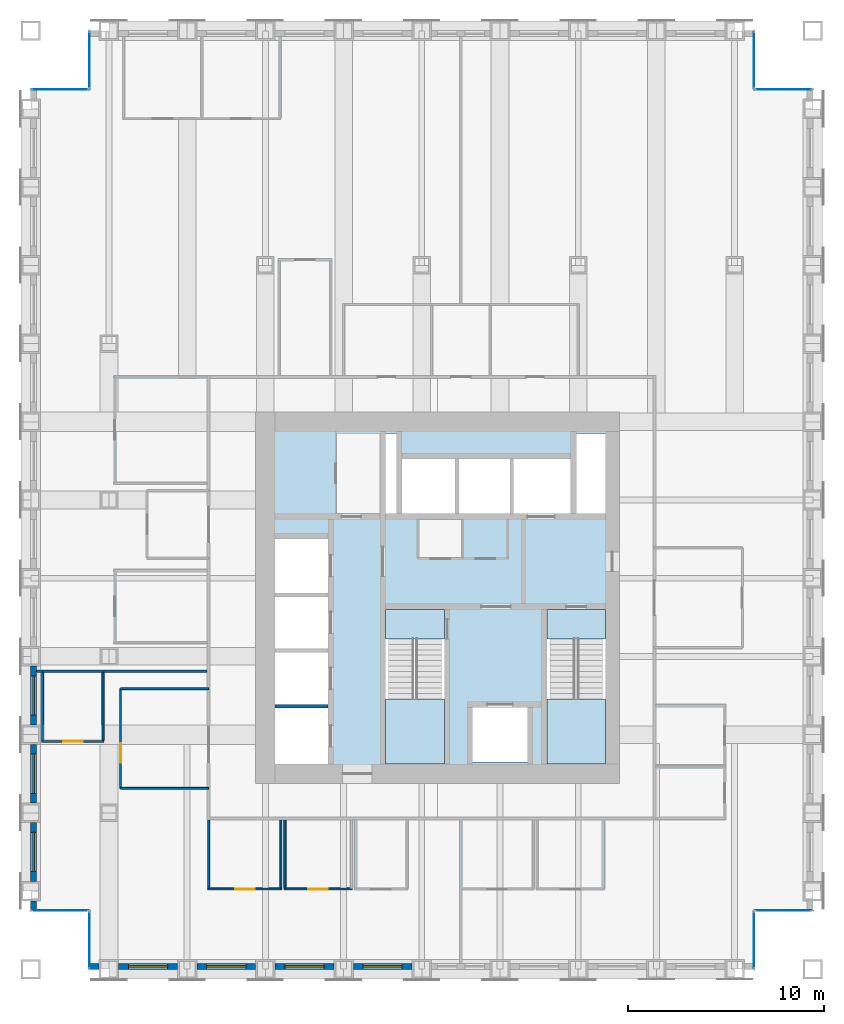
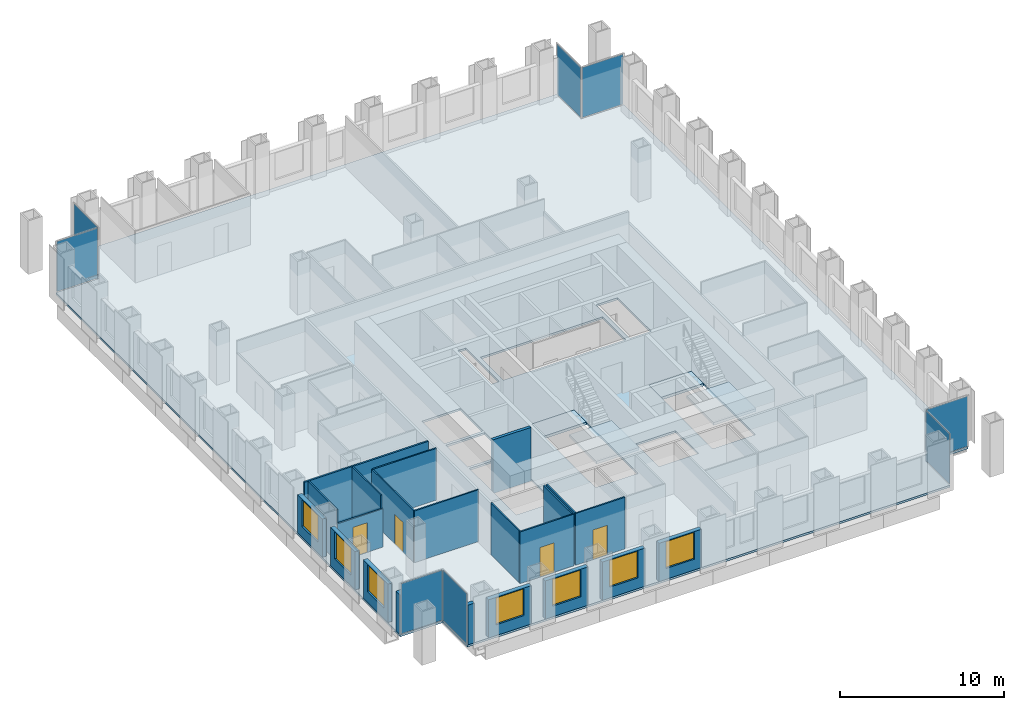
# One storey, part 8 of 14: 22 walls, 8 plates, 7 windows, 5 slabs, 4 doors, 11 openings, 10 elements without a shape of their own.
"""IFC4 building model written with IfcOpenShell, lengths in metres."""

from ifc_helpers import new_model, si_unit, direction, frame, frame_2d, origin, origin_2d, place, context, subcontext, project, spatial, polyline, rectangle, outline, extrude, material, layer, layer_set, type_object, element, fill, aggregate, save


model = new_model("IFC4")

# Units and contexts
model_context = context("Model", 3, precision=1e-05, world=origin(), true_north=direction((0.0, 1.0)))
body_context = subcontext(model_context, "Body", "Model", "MODEL_VIEW")
ifc_project = project(units=[si_unit("LENGTHUNIT", "METRE"), si_unit("AREAUNIT", "SQUARE_METRE"), si_unit("VOLUMEUNIT", "CUBIC_METRE"), si_unit("PLANEANGLEUNIT", "RADIAN"), si_unit("MASSUNIT", "GRAM", prefix="KILO")], contexts=[model_context])

# Site, building, storey
site_placement = place(None, origin())
site = spatial("IfcSite", under=ifc_project, at=site_placement, CompositionType="ELEMENT")
building_placement = place(site_placement, origin())
building = spatial("IfcBuilding", under=site, at=building_placement, Name="Rimbunsela Tower", CompositionType="ELEMENT")
storey_placement = place(building_placement, frame((0.0, 0.0, 183.800048828125)))
storey = spatial("IfcBuildingStorey", under=building, at=storey_placement, Name="L44", CompositionType="ELEMENT", Elevation=183.800048828125)

# Slab
ifc_material_1 = material(Name="Concrete fc' 35 MPa", Category="concrete")
ifc_layer_1 = layer(ifc_material_1, 0.14990234375)
ifc_layer_set_1 = layer_set([ifc_layer_1], Name="Floor slab 150")
slab_type_1 = type_object("IfcSlabType", Name="Floor slab 150", PredefinedType="FLOOR", material=ifc_layer_set_1)
slab_1_placement = place(storey_placement, frame((0.0, 0.0, -0.150146484375)))
element("IfcSlab", 1, at=slab_1_placement, inside=storey, type_object=slab_type_1, Name="Floor slab L44", PredefinedType="FLOOR", context=body_context, shape_type="SweptSolid", body=[
    extrude(outline(polyline([(9.0, 8.0), (43.0, 8.0), (43.0, 11.0), (46.0, 11.0), (46.0, 53.0), (43.0, 53.0), (43.0, 56.0), (9.0, 56.0), (9.0, 53.0), (6.0, 53.0), (6.0, 11.0), (9.0, 11.0), (9.0, 8.0)]), holes=[polyline([(21.199951171875, 21.35009765625), (18.5, 21.35009765625), (18.5, 18.5), (21.199951171875, 18.5), (21.199951171875, 21.35009765625)]), polyline([(21.199951171875, 21.550048828125), (21.199951171875, 24.199951171875), (18.5, 24.199951171875), (18.5, 21.550048828125), (21.199951171875, 21.550048828125)]), polyline([(21.199951171875, 27.050048828125), (18.5, 27.050048828125), (18.5, 24.39990234375), (21.199951171875, 24.39990234375), (21.199951171875, 27.050048828125)]), polyline([(21.199951171875, 27.25), (21.199951171875, 30.0), (18.5, 30.0), (18.5, 27.25), (21.199951171875, 27.25)]), polyline([(27.14990234375, 18.60009765625), (27.14990234375, 26.39990234375), (24.14990234375, 26.39990234375), (24.14990234375, 18.60009765625), (27.14990234375, 18.60009765625)]), polyline([(24.699951171875, 31.300048828125), (24.699951171875, 35.39990234375), (24.14990234375, 35.39990234375), (24.14990234375, 31.300048828125), (24.699951171875, 31.300048828125)]), polyline([(25.0, 34.10009765625), (25.0, 31.300048828125), (33.60009765625, 31.300048828125), (33.60009765625, 34.10009765625), (25.0, 34.10009765625)]), polyline([(31.39990234375, 21.39990234375), (28.60009765625, 21.39990234375), (28.60009765625, 18.60009765625), (31.39990234375, 18.60009765625), (31.39990234375, 21.39990234375)]), polyline([(35.39990234375, 18.60009765625), (35.39990234375, 26.39990234375), (32.39990234375, 26.39990234375), (32.39990234375, 18.60009765625), (35.39990234375, 18.60009765625)]), polyline([(35.39990234375, 31.300048828125), (35.39990234375, 35.39990234375), (33.89990234375, 35.39990234375), (33.89990234375, 31.300048828125), (35.39990234375, 31.300048828125)])]), origin(), (0.0, 0.0, 1.0), 0.150146484375),
])

# Curtain wall, plate
ifc_material_2 = material(Name="Aluminium curtain wall", Category="aluminium")
curtain_wall_type = type_object("IfcCurtainWallType", Name="Corner glazing", PredefinedType="USERDEFINED", material=ifc_material_2)
curtain_wall_1_placement = place(storey_placement, origin())
curtain_wall_1 = element("IfcCurtainWall", 2, at=curtain_wall_1_placement, inside=storey, type_object=curtain_wall_type, Name="Corner glazing L44", ObjectType="CORNER GLAZING", PredefinedType="USERDEFINED")
ifc_material_3 = material(Name="Clear double glazing", Category="glass")
ifc_layer_2 = layer(ifc_material_3, 0.028076171875)
ifc_layer_set_2 = layer_set([ifc_layer_2], Name="Glazed panel clear")
plate_type = type_object("IfcPlateType", Name="Glazed panel clear", PredefinedType="CURTAIN_PANEL", material=ifc_layer_set_2)
plate_1_placement = place(storey_placement, frame((43.0, 9.5, 0.06005859375), z_axis=(0.0, 0.0, 1.0), x_axis=(0.0, 1.0, 0.0)))
plate_1 = element("IfcPlate", 3, at=plate_1_placement, type_object=plate_type, Name="CW5 panel 1.1", PredefinedType="CURTAIN_PANEL", context=body_context, shape_type="SweptSolid", body=[
    extrude(rectangle(XDim=2.8798828125, YDim=0.028076171875, at=origin_2d()), origin(), (0.0, 0.0, 1.0), 3.72998046875),
])
aggregate(curtain_wall_1, [plate_1])

curtain_wall_2_placement = place(storey_placement, origin())
curtain_wall_2 = element("IfcCurtainWall", 4, at=curtain_wall_2_placement, inside=storey, type_object=curtain_wall_type, Name="Corner glazing L44", ObjectType="CORNER GLAZING", PredefinedType="USERDEFINED")
plate_2_placement = place(storey_placement, frame((44.5, 11.0, 0.06005859375), z_axis=(0.0, 0.0, 1.0), x_axis=(1.0, 0.0, 0.0)))
plate_2 = element("IfcPlate", 5, at=plate_2_placement, type_object=plate_type, Name="CW5 panel 1.1", PredefinedType="CURTAIN_PANEL", context=body_context, shape_type="SweptSolid", body=[
    extrude(rectangle(XDim=2.8798828125, YDim=0.028076171875, at=origin_2d()), origin(), (0.0, 0.0, 1.0), 3.72998046875),
])
aggregate(curtain_wall_2, [plate_2])

curtain_wall_3_placement = place(storey_placement, origin())
curtain_wall_3 = element("IfcCurtainWall", 6, at=curtain_wall_3_placement, inside=storey, type_object=curtain_wall_type, Name="Corner glazing L44", ObjectType="CORNER GLAZING", PredefinedType="USERDEFINED")
plate_3_placement = place(storey_placement, frame((44.5, 53.0, 0.06005859375), z_axis=(0.0, 0.0, 1.0), x_axis=(-1.0, 0.0, 0.0)))
plate_3 = element("IfcPlate", 7, at=plate_3_placement, type_object=plate_type, Name="CW5 panel 1.1", PredefinedType="CURTAIN_PANEL", context=body_context, shape_type="SweptSolid", body=[
    extrude(rectangle(XDim=2.8798828125, YDim=0.028076171875, at=origin_2d()), origin(), (0.0, 0.0, 1.0), 3.72998046875),
])
aggregate(curtain_wall_3, [plate_3])

curtain_wall_4_placement = place(storey_placement, origin())
curtain_wall_4 = element("IfcCurtainWall", 8, at=curtain_wall_4_placement, inside=storey, type_object=curtain_wall_type, Name="Corner glazing L44", ObjectType="CORNER GLAZING", PredefinedType="USERDEFINED")
plate_4_placement = place(storey_placement, frame((43.0, 54.5, 0.06005859375), z_axis=(0.0, 0.0, 1.0), x_axis=(0.0, 1.0, 0.0)))
plate_4 = element("IfcPlate", 9, at=plate_4_placement, type_object=plate_type, Name="CW5 panel 1.1", PredefinedType="CURTAIN_PANEL", context=body_context, shape_type="SweptSolid", body=[
    extrude(rectangle(XDim=2.8798828125, YDim=0.028076171875, at=origin_2d()), origin(), (0.0, 0.0, 1.0), 3.72998046875),
])
aggregate(curtain_wall_4, [plate_4])

curtain_wall_5_placement = place(storey_placement, origin())
curtain_wall_5 = element("IfcCurtainWall", 10, at=curtain_wall_5_placement, inside=storey, type_object=curtain_wall_type, Name="Corner glazing L44", ObjectType="CORNER GLAZING", PredefinedType="USERDEFINED")
plate_5_placement = place(storey_placement, frame((9.0, 54.5, 0.06005859375), z_axis=(0.0, 0.0, 1.0), x_axis=(0.0, -1.0, 0.0)))
plate_5 = element("IfcPlate", 11, at=plate_5_placement, type_object=plate_type, Name="CW5 panel 1.1", PredefinedType="CURTAIN_PANEL", context=body_context, shape_type="SweptSolid", body=[
    extrude(rectangle(XDim=2.8798828125, YDim=0.028076171875, at=origin_2d()), origin(), (0.0, 0.0, 1.0), 3.72998046875),
])
aggregate(curtain_wall_5, [plate_5])

curtain_wall_6_placement = place(storey_placement, origin())
curtain_wall_6 = element("IfcCurtainWall", 12, at=curtain_wall_6_placement, inside=storey, type_object=curtain_wall_type, Name="Corner glazing L44", ObjectType="CORNER GLAZING", PredefinedType="USERDEFINED")
plate_6_placement = place(storey_placement, frame((7.5, 53.0, 0.06005859375), z_axis=(0.0, 0.0, 1.0), x_axis=(-1.0, 0.0, 0.0)))
plate_6 = element("IfcPlate", 13, at=plate_6_placement, type_object=plate_type, Name="CW5 panel 1.1", PredefinedType="CURTAIN_PANEL", context=body_context, shape_type="SweptSolid", body=[
    extrude(rectangle(XDim=2.8798828125, YDim=0.028076171875, at=origin_2d()), origin(), (0.0, 0.0, 1.0), 3.72998046875),
])
aggregate(curtain_wall_6, [plate_6])

curtain_wall_7_placement = place(storey_placement, origin())
curtain_wall_7 = element("IfcCurtainWall", 14, at=curtain_wall_7_placement, inside=storey, type_object=curtain_wall_type, Name="Corner glazing L44", ObjectType="CORNER GLAZING", PredefinedType="USERDEFINED")
plate_7_placement = place(storey_placement, frame((7.5, 11.0, 0.06005859375), z_axis=(0.0, 0.0, 1.0), x_axis=(1.0, 0.0, 0.0)))
plate_7 = element("IfcPlate", 15, at=plate_7_placement, type_object=plate_type, Name="CW5 panel 1.1", PredefinedType="CURTAIN_PANEL", context=body_context, shape_type="SweptSolid", body=[
    extrude(rectangle(XDim=2.8798828125, YDim=0.028076171875, at=origin_2d()), origin(), (0.0, 0.0, 1.0), 3.72998046875),
])
aggregate(curtain_wall_7, [plate_7])

curtain_wall_8_placement = place(storey_placement, origin())
curtain_wall_8 = element("IfcCurtainWall", 16, at=curtain_wall_8_placement, inside=storey, type_object=curtain_wall_type, Name="Corner glazing L44", ObjectType="CORNER GLAZING", PredefinedType="USERDEFINED")
plate_8_placement = place(storey_placement, frame((9.0, 9.5, 0.06005859375), z_axis=(0.0, 0.0, 1.0), x_axis=(0.0, -1.0, 0.0)))
plate_8 = element("IfcPlate", 17, at=plate_8_placement, type_object=plate_type, Name="CW5 panel 1.1", PredefinedType="CURTAIN_PANEL", context=body_context, shape_type="SweptSolid", body=[
    extrude(rectangle(XDim=2.8798828125, YDim=0.028076171875, at=origin_2d()), origin(), (0.0, 0.0, 1.0), 3.72998046875),
])
aggregate(curtain_wall_8, [plate_8])

# Stair, slabs
ifc_material_4 = material(Name="Concrete fc' 35 MPa", Category="concrete")
stair_type = type_object("IfcStairType", Name="Exit stair 24 risers", PredefinedType="HALF_TURN_STAIR", material=ifc_material_4)
stair_1_placement = place(storey_placement, origin())
stair_1 = element("IfcStair", 18, at=stair_1_placement, inside=storey, type_object=stair_type, Name="Exit stair A L44", PredefinedType="HALF_TURN_STAIR")
ifc_material_5 = material(Name="Concrete fc' 35 MPa", Category="concrete")
ifc_layer_3 = layer(ifc_material_5, 0.199951171875)
ifc_layer_set_3 = layer_set([ifc_layer_3], Name="Stair landing 200")
slab_type_2 = type_object("IfcSlabType", Name="Stair landing 200", PredefinedType="LANDING", material=ifc_layer_set_3)
slab_2_placement = place(storey_placement, frame((0.0, 0.0, -0.199951171875)))
slab_2 = element("IfcSlab", 19, at=slab_2_placement, type_object=slab_type_2, Name="ST-A landing 1", PredefinedType="LANDING", context=body_context, shape_type="SweptSolid", body=[
    extrude(outline(polyline([(24.14990234375, 24.89990234375), (27.14990234375, 24.89990234375), (27.14990234375, 26.39990234375), (24.14990234375, 26.39990234375), (24.14990234375, 24.89990234375)])), origin(), (0.0, 0.0, 1.0), 0.199951171875),
])
slab_3_placement = place(storey_placement, frame((0.0, 0.0, 1.800048828125)))
slab_3 = element("IfcSlab", 20, at=slab_3_placement, type_object=slab_type_2, Name="ST-A landing 2", PredefinedType="LANDING", context=body_context, shape_type="SweptSolid", body=[
    extrude(outline(polyline([(24.14990234375, 18.5), (27.14990234375, 18.5), (27.14990234375, 21.820068359375), (24.14990234375, 21.820068359375), (24.14990234375, 18.5)])), origin(), (0.0, 0.0, 1.0), 0.199951171875),
])
aggregate(stair_1, [slab_2, slab_3])

stair_2_placement = place(storey_placement, origin())
stair_2 = element("IfcStair", 21, at=stair_2_placement, inside=storey, type_object=stair_type, Name="Exit stair B L44", PredefinedType="HALF_TURN_STAIR")
slab_4_placement = place(storey_placement, frame((0.0, 0.0, -0.199951171875)))
slab_4 = element("IfcSlab", 22, at=slab_4_placement, type_object=slab_type_2, Name="ST-B landing 1", PredefinedType="LANDING", context=body_context, shape_type="SweptSolid", body=[
    extrude(outline(polyline([(32.39990234375, 24.89990234375), (35.39990234375, 24.89990234375), (35.39990234375, 26.39990234375), (32.39990234375, 26.39990234375), (32.39990234375, 24.89990234375)])), origin(), (0.0, 0.0, 1.0), 0.199951171875),
])
slab_5_placement = place(storey_placement, frame((0.0, 0.0, 1.800048828125)))
slab_5 = element("IfcSlab", 23, at=slab_5_placement, type_object=slab_type_2, Name="ST-B landing 2", PredefinedType="LANDING", context=body_context, shape_type="SweptSolid", body=[
    extrude(outline(polyline([(32.39990234375, 18.5), (35.39990234375, 18.5), (35.39990234375, 21.820068359375), (32.39990234375, 21.820068359375), (32.39990234375, 18.5)])), origin(), (0.0, 0.0, 1.0), 0.199951171875),
])
aggregate(stair_2, [slab_4, slab_5])

# Wall
ifc_material_6 = material(Name="Concrete blockwork", Category="masonry")
ifc_layer_4 = layer(ifc_material_6, 0.199951171875)
ifc_layer_set_4 = layer_set([ifc_layer_4], Name="Lift shaft wall 200")
wall_type_1 = type_object("IfcWallType", Name="Lift shaft wall 200", PredefinedType="SOLIDWALL", material=ifc_layer_set_4)
wall_1_placement = place(storey_placement, frame((18.5, 21.449951171875, -0.150146484375), z_axis=(0.0, 0.0, 1.0), x_axis=(1.0, 0.0, 0.0)))
element("IfcWall", 24, at=wall_1_placement, inside=storey, type_object=wall_type_1, Name="Lift shaft separation", PredefinedType="SOLIDWALL", context=body_context, shape_type="SweptSolid", body=[
    extrude(rectangle(XDim=2.699951171875, YDim=0.199951171875, at=frame_2d((1.35009765625, 0.0))), origin(), (0.0, 0.0, 1.0), 4.0),
])

# Wall, opening, door
ifc_material_7 = material(Name="Gypsum board on steel studs", Category="steel")
ifc_layer_5 = layer(ifc_material_7, 0.10009765625)
ifc_layer_set_5 = layer_set([ifc_layer_5], Name="Office partition 100")
wall_type_2 = type_object("IfcWallType", Name="Office partition 100", PredefinedType="PARTITIONING", material=ifc_layer_set_5)
wall_2_placement = place(storey_placement, frame((15.050048828125, 12.10009765625, 0.0), z_axis=(0.0, 0.0, 1.0), x_axis=(1.0, 0.0, 0.0)))
wall_2 = element("IfcWall", 25, at=wall_2_placement, inside=storey, type_object=wall_type_2, Name="Office partition", PredefinedType="PARTITIONING", context=body_context, shape_type="SweptSolid", body=[
    extrude(rectangle(XDim=3.800048828125, YDim=0.10009765625, at=frame_2d((1.89990234375, 0.0))), origin(), (0.0, 0.0, 1.0), 3.849853515625),
])
opening_1_placement = place(wall_2_placement, frame((1.39990234375, 0.0, 0.0)))
opening_1 = element("IfcOpeningElement", 26, at=opening_1_placement, cuts=wall_2, Name="Opening D17", PredefinedType="OPENING", context=body_context, shape_type="SweptSolid", body=[
    extrude(rectangle(XDim=1.0, YDim=2.199951171875, at=frame_2d((0.5, 1.10009765625))), frame((0.0, 0.06005859375, 0.0), z_axis=(0.0, -1.0, 0.0), x_axis=(1.0, 0.0, 0.0)), (0.0, 0.0, 1.0), 0.1201171875),
])
ifc_material_8 = material(Name="Glazed aluminium door", Category="aluminium")
door_type_1 = type_object("IfcDoorType", Name="Meeting room door 1000 glazed", OperationType="SINGLE_SWING_RIGHT", PredefinedType="DOOR", material=ifc_material_8)
door_1_placement = place(opening_1_placement, origin())
door_1 = element("IfcDoor", 27, at=door_1_placement, inside=storey, type_object=door_type_1, Name="Meeting room door", OperationType="SINGLE_SWING_RIGHT", OverallHeight=2.199951171875, OverallWidth=1.0, PredefinedType="DOOR", context=body_context, shape_type="SweptSolid", body=[
    extrude(rectangle(XDim=1.0, YDim=2.199951171875, at=frame_2d((0.5, 1.10009765625))), frame((0.0, 0.02490234375, 0.0), z_axis=(0.0, -1.0, 0.0), x_axis=(1.0, 0.0, 0.0)), (0.0, 0.0, 1.0), 0.050048828125),
])
fill(opening_1, door_1)

wall_3_placement = place(storey_placement, frame((18.949951171875, 12.10009765625, 0.0), z_axis=(0.0, 0.0, 1.0), x_axis=(1.0, 0.0, 0.0)))
wall_3 = element("IfcWall", 28, at=wall_3_placement, inside=storey, type_object=wall_type_2, Name="Office partition", PredefinedType="PARTITIONING", context=body_context, shape_type="SweptSolid", body=[
    extrude(rectangle(XDim=3.5, YDim=0.10009765625, at=frame_2d((1.75, 0.0))), origin(), (0.0, 0.0, 1.0), 3.849853515625),
])
opening_2_placement = place(wall_3_placement, frame((1.25, 0.0, 0.0)))
opening_2 = element("IfcOpeningElement", 29, at=opening_2_placement, cuts=wall_3, Name="Opening D16", PredefinedType="OPENING", context=body_context, shape_type="SweptSolid", body=[
    extrude(rectangle(XDim=1.0, YDim=2.199951171875, at=frame_2d((0.5, 1.10009765625))), frame((0.0, 0.06005859375, 0.0), z_axis=(0.0, -1.0, 0.0), x_axis=(1.0, 0.0, 0.0)), (0.0, 0.0, 1.0), 0.1201171875),
])
ifc_material_9 = material(Name="Timber door", Category="wood")
door_type_2 = type_object("IfcDoorType", Name="Office door 1000", OperationType="SINGLE_SWING_LEFT", PredefinedType="DOOR", material=ifc_material_9)
door_2_placement = place(opening_2_placement, origin())
door_2 = element("IfcDoor", 30, at=door_2_placement, inside=storey, type_object=door_type_2, Name="Office door", OperationType="SINGLE_SWING_LEFT", OverallHeight=2.199951171875, OverallWidth=1.0, PredefinedType="DOOR", context=body_context, shape_type="SweptSolid", body=[
    extrude(rectangle(XDim=1.0, YDim=2.199951171875, at=frame_2d((0.5, 1.10009765625))), frame((0.0, 0.02490234375, 0.0), z_axis=(0.0, -1.0, 0.0), x_axis=(1.0, 0.0, 0.0)), (0.0, 0.0, 1.0), 0.050048828125),
])
fill(opening_2, door_2)

wall_4_placement = place(storey_placement, frame((6.550048828125, 19.64990234375, 0.0), z_axis=(0.0, 0.0, 1.0), x_axis=(1.0, 0.0, 0.0)))
wall_4 = element("IfcWall", 31, at=wall_4_placement, inside=storey, type_object=wall_type_2, Name="Office partition", PredefinedType="PARTITIONING", context=body_context, shape_type="SweptSolid", body=[
    extrude(rectangle(XDim=3.199951171875, YDim=0.10009765625, at=frame_2d((1.60009765625, 0.0))), origin(), (0.0, 0.0, 1.0), 2.849853515625),
])
opening_3_placement = place(wall_4_placement, frame((1.10009765625, 0.0, 0.0)))
opening_3 = element("IfcOpeningElement", 32, at=opening_3_placement, cuts=wall_4, Name="Opening D16", PredefinedType="OPENING", context=body_context, shape_type="SweptSolid", body=[
    extrude(rectangle(XDim=1.0, YDim=2.199951171875, at=frame_2d((0.5, 1.10009765625))), frame((0.0, 0.06005859375, 0.0), z_axis=(0.0, -1.0, 0.0), x_axis=(1.0, 0.0, 0.0)), (0.0, 0.0, 1.0), 0.1201171875),
])
door_3_placement = place(opening_3_placement, origin())
door_3 = element("IfcDoor", 33, at=door_3_placement, inside=storey, type_object=door_type_2, Name="Office door", OperationType="SINGLE_SWING_LEFT", OverallHeight=2.199951171875, OverallWidth=1.0, PredefinedType="DOOR", context=body_context, shape_type="SweptSolid", body=[
    extrude(rectangle(XDim=1.0, YDim=2.199951171875, at=frame_2d((0.5, 1.10009765625))), frame((0.0, 0.02490234375, 0.0), z_axis=(0.0, -1.0, 0.0), x_axis=(1.0, 0.0, 0.0)), (0.0, 0.0, 1.0), 0.050048828125),
])
fill(opening_3, door_3)

# Walls
for number, where, z_axis, x_axis, name in (
    (34, (6.60009765625, 19.699951171875, 0.0), (0.0, 0.0, 1.0), (0.0, 1.0, 0.0), "Office partition"),
    (35, (9.699951171875, 19.699951171875, 0.0), (0.0, 0.0, 1.0), (0.0, 1.0, 0.0), "Office partition"),
):
    element("IfcWall", number, at=place(storey_placement, frame(where, z_axis=z_axis, x_axis=x_axis)), inside=storey, type_object=wall_type_2, Name=name, PredefinedType="PARTITIONING", context=body_context, shape_type="SweptSolid", body=[
        extrude(rectangle(XDim=3.489990234375, YDim=0.10009765625, at=frame_2d((1.7451171875, 0.0))), origin(), (0.0, 0.0, 1.0), 3.849853515625),
    ])
for number, where, z_axis, x_axis, name in (
    (36, (15.10009765625, 12.14990234375, 0.0), (0.0, 0.0, 1.0), (0.0, 1.0, 0.0), "Office partition"),
    (37, (18.800048828125, 12.14990234375, 0.0), (0.0, 0.0, 1.0), (0.0, 1.0, 0.0), "Office partition"),
    (38, (19.0, 12.14990234375, 0.0), (0.0, 0.0, 1.0), (0.0, 1.0, 0.0), "Office partition"),
):
    element("IfcWall", number, at=place(storey_placement, frame(where, z_axis=z_axis, x_axis=x_axis)), inside=storey, type_object=wall_type_2, Name=name, PredefinedType="PARTITIONING", context=body_context, shape_type="SweptSolid", body=[
        extrude(rectangle(XDim=3.47509765625, YDim=0.10009765625, at=frame_2d((1.737548828125, 0.0))), origin(), (0.0, 0.0, 1.0), 3.849853515625),
    ])
wall_5_placement = place(storey_placement, frame((15.10009765625, 22.34912109375, 0.0), z_axis=(0.0, 0.0, 1.0), x_axis=(-1.0, 0.0, 0.0)))
element("IfcWall", 39, at=wall_5_placement, inside=storey, type_object=wall_type_2, Name="Office partition", PredefinedType="PARTITIONING", context=body_context, shape_type="SweptSolid", body=[
    extrude(rectangle(XDim=4.5, YDim=0.10009765625, at=frame_2d((2.25, 0.0))), origin(), (0.0, 0.0, 1.0), 3.849853515625),
])

# Wall, opening, door
wall_6_placement = place(storey_placement, frame((10.60009765625, 22.34912109375, 0.0), z_axis=(0.0, 0.0, 1.0), x_axis=(0.0, -1.0, 0.0)))
wall_6 = element("IfcWall", 40, at=wall_6_placement, inside=storey, type_object=wall_type_2, Name="Office partition", PredefinedType="PARTITIONING", context=body_context, shape_type="SweptSolid", body=[
    extrude(rectangle(XDim=5.10009765625, YDim=0.10009765625, at=frame_2d((2.550048828125, 0.0))), origin(), (0.0, 0.0, 1.0), 3.849853515625),
])
opening_4_placement = place(wall_6_placement, frame((2.800048828125, 0.0, 0.0)))
opening_4 = element("IfcOpeningElement", 41, at=opening_4_placement, cuts=wall_6, Name="Opening D17", PredefinedType="OPENING", context=body_context, shape_type="SweptSolid", body=[
    extrude(rectangle(XDim=1.0, YDim=2.199951171875, at=frame_2d((0.5, 1.10009765625))), frame((0.0, 0.06005859375, 0.0), z_axis=(0.0, -1.0, 0.0), x_axis=(1.0, 0.0, 0.0)), (0.0, 0.0, 1.0), 0.1201171875),
])
door_4_placement = place(opening_4_placement, origin())
door_4 = element("IfcDoor", 42, at=door_4_placement, inside=storey, type_object=door_type_1, Name="Reception door", OperationType="SINGLE_SWING_RIGHT", OverallHeight=2.199951171875, OverallWidth=1.0, PredefinedType="DOOR", context=body_context, shape_type="SweptSolid", body=[
    extrude(rectangle(XDim=1.0, YDim=2.199951171875, at=frame_2d((0.5, 1.10009765625))), frame((0.0, 0.02490234375, 0.0), z_axis=(0.0, -1.0, 0.0), x_axis=(1.0, 0.0, 0.0)), (0.0, 0.0, 1.0), 0.050048828125),
])
fill(opening_4, door_4)

# Walls
wall_7_placement = place(storey_placement, frame((10.60009765625, 17.2490234375, 0.0), z_axis=(0.0, 0.0, 1.0), x_axis=(1.0, 0.0, 0.0)))
element("IfcWall", 43, at=wall_7_placement, inside=storey, type_object=wall_type_2, Name="Office partition", PredefinedType="PARTITIONING", context=body_context, shape_type="SweptSolid", body=[
    extrude(rectangle(XDim=4.5, YDim=0.10009765625, at=frame_2d((2.25, 0.0))), origin(), (0.0, 0.0, 1.0), 3.849853515625),
])
ifc_material_10 = material(Name="Precast concrete fc' 35 MPa", Category="concrete")
ifc_layer_6 = layer(ifc_material_10, 0.300048828125)
ifc_layer_set_6 = layer_set([ifc_layer_6], Name="Precast concrete fc' 35 MPa")
wall_type_3 = type_object("IfcWallType", Name="Precast facade panel 300", PredefinedType="ELEMENTEDWALL", material=ifc_layer_set_6)
wall_8_placement = place(storey_placement, frame((9.030029296875, 8.14990234375, 0.0), z_axis=(0.0, 0.0, 1.0), x_axis=(1.0, 0.0, 0.0)))
element("IfcWall", 44, at=wall_8_placement, inside=storey, type_object=wall_type_3, Name="Facade panel S L44", PredefinedType="ELEMENTEDWALL", context=body_context, shape_type="SweptSolid", body=[
    extrude(rectangle(XDim=0.469970703125, YDim=0.300048828125, at=frame_2d((0.23486328125, 0.0))), origin(), (0.0, 0.0, 1.0), 2.949951171875),
])

# Wall, opening, window
wall_9_placement = place(storey_placement, frame((10.5, 8.14990234375, 0.0), z_axis=(0.0, 0.0, 1.0), x_axis=(1.0, 0.0, 0.0)))
wall_9 = element("IfcWall", 45, at=wall_9_placement, inside=storey, type_object=wall_type_3, Name="Facade panel S L44", PredefinedType="ELEMENTEDWALL", context=body_context, shape_type="SweptSolid", body=[
    extrude(rectangle(XDim=3.0, YDim=0.300048828125, at=frame_2d((1.5, 0.0))), origin(), (0.0, 0.0, 1.0), 2.849853515625),
])
opening_5_placement = place(wall_9_placement, frame((0.5, 0.0, 0.800048828125)))
opening_5 = element("IfcOpeningElement", 46, at=opening_5_placement, cuts=wall_9, Name="Opening W1", PredefinedType="OPENING", context=body_context, shape_type="SweptSolid", body=[
    extrude(rectangle(XDim=2.0, YDim=2.0, at=frame_2d((1.0, 1.0))), frame((0.0, 0.159912109375, 0.0), z_axis=(0.0, -1.0, 0.0), x_axis=(1.0, 0.0, 0.0)), (0.0, 0.0, 1.0), 0.320068359375),
])
ifc_material_11 = material(Name="Clear glass in aluminium frame", Category="aluminium")
window_type = type_object("IfcWindowType", Name="Window W1 2000x2000", PartitioningType="DOUBLE_PANEL_VERTICAL", PredefinedType="WINDOW", material=ifc_material_11)
window_1_placement = place(opening_5_placement, origin())
window_1 = element("IfcWindow", 47, at=window_1_placement, inside=storey, type_object=window_type, Name="Window L44", OverallHeight=2.0, OverallWidth=2.0, PartitioningType="SINGLE_PANEL", PredefinedType="WINDOW", context=body_context, shape_type="SweptSolid", body=[
    extrude(rectangle(XDim=2.0, YDim=2.0, at=frame_2d((1.0, 1.0))), frame((0.0, 0.030029296875, 0.0), z_axis=(0.0, -1.0, 0.0), x_axis=(1.0, 0.0, 0.0)), (0.0, 0.0, 1.0), 0.06005859375),
])
fill(opening_5, window_1)

wall_10_placement = place(storey_placement, frame((14.5, 8.14990234375, 0.0), z_axis=(0.0, 0.0, 1.0), x_axis=(1.0, 0.0, 0.0)))
wall_10 = element("IfcWall", 48, at=wall_10_placement, inside=storey, type_object=wall_type_3, Name="Facade panel S L44", PredefinedType="ELEMENTEDWALL", context=body_context, shape_type="SweptSolid", body=[
    extrude(rectangle(XDim=3.0, YDim=0.300048828125, at=frame_2d((1.5, 0.0))), origin(), (0.0, 0.0, 1.0), 2.849853515625),
])
opening_6_placement = place(wall_10_placement, frame((0.5, 0.0, 0.800048828125)))
opening_6 = element("IfcOpeningElement", 49, at=opening_6_placement, cuts=wall_10, Name="Opening W1", PredefinedType="OPENING", context=body_context, shape_type="SweptSolid", body=[
    extrude(rectangle(XDim=2.0, YDim=2.0, at=frame_2d((1.0, 1.0))), frame((0.0, 0.159912109375, 0.0), z_axis=(0.0, -1.0, 0.0), x_axis=(1.0, 0.0, 0.0)), (0.0, 0.0, 1.0), 0.320068359375),
])
window_2_placement = place(opening_6_placement, origin())
window_2 = element("IfcWindow", 50, at=window_2_placement, inside=storey, type_object=window_type, Name="Window L44", OverallHeight=2.0, OverallWidth=2.0, PartitioningType="SINGLE_PANEL", PredefinedType="WINDOW", context=body_context, shape_type="SweptSolid", body=[
    extrude(rectangle(XDim=2.0, YDim=2.0, at=frame_2d((1.0, 1.0))), frame((0.0, 0.030029296875, 0.0), z_axis=(0.0, -1.0, 0.0), x_axis=(1.0, 0.0, 0.0)), (0.0, 0.0, 1.0), 0.06005859375),
])
fill(opening_6, window_2)

wall_11_placement = place(storey_placement, frame((18.5, 8.14990234375, 0.0), z_axis=(0.0, 0.0, 1.0), x_axis=(1.0, 0.0, 0.0)))
wall_11 = element("IfcWall", 51, at=wall_11_placement, inside=storey, type_object=wall_type_3, Name="Facade panel S L44", PredefinedType="ELEMENTEDWALL", context=body_context, shape_type="SweptSolid", body=[
    extrude(rectangle(XDim=3.0, YDim=0.300048828125, at=frame_2d((1.5, 0.0))), origin(), (0.0, 0.0, 1.0), 2.849853515625),
])
opening_7_placement = place(wall_11_placement, frame((0.5, 0.0, 0.800048828125)))
opening_7 = element("IfcOpeningElement", 52, at=opening_7_placement, cuts=wall_11, Name="Opening W1", PredefinedType="OPENING", context=body_context, shape_type="SweptSolid", body=[
    extrude(rectangle(XDim=2.0, YDim=2.0, at=frame_2d((1.0, 1.0))), frame((0.0, 0.159912109375, 0.0), z_axis=(0.0, -1.0, 0.0), x_axis=(1.0, 0.0, 0.0)), (0.0, 0.0, 1.0), 0.320068359375),
])
window_3_placement = place(opening_7_placement, origin())
window_3 = element("IfcWindow", 53, at=window_3_placement, inside=storey, type_object=window_type, Name="Window L44", OverallHeight=2.0, OverallWidth=2.0, PartitioningType="SINGLE_PANEL", PredefinedType="WINDOW", context=body_context, shape_type="SweptSolid", body=[
    extrude(rectangle(XDim=2.0, YDim=2.0, at=frame_2d((1.0, 1.0))), frame((0.0, 0.030029296875, 0.0), z_axis=(0.0, -1.0, 0.0), x_axis=(1.0, 0.0, 0.0)), (0.0, 0.0, 1.0), 0.06005859375),
])
fill(opening_7, window_3)

wall_12_placement = place(storey_placement, frame((22.5, 8.14990234375, 0.0), z_axis=(0.0, 0.0, 1.0), x_axis=(1.0, 0.0, 0.0)))
wall_12 = element("IfcWall", 54, at=wall_12_placement, inside=storey, type_object=wall_type_3, Name="Facade panel S L44", PredefinedType="ELEMENTEDWALL", context=body_context, shape_type="SweptSolid", body=[
    extrude(rectangle(XDim=3.0, YDim=0.300048828125, at=frame_2d((1.5, 0.0))), origin(), (0.0, 0.0, 1.0), 2.849853515625),
])
opening_8_placement = place(wall_12_placement, frame((0.5, 0.0, 0.800048828125)))
opening_8 = element("IfcOpeningElement", 55, at=opening_8_placement, cuts=wall_12, Name="Opening W1", PredefinedType="OPENING", context=body_context, shape_type="SweptSolid", body=[
    extrude(rectangle(XDim=2.0, YDim=2.0, at=frame_2d((1.0, 1.0))), frame((0.0, 0.159912109375, 0.0), z_axis=(0.0, -1.0, 0.0), x_axis=(1.0, 0.0, 0.0)), (0.0, 0.0, 1.0), 0.320068359375),
])
window_4_placement = place(opening_8_placement, origin())
window_4 = element("IfcWindow", 56, at=window_4_placement, inside=storey, type_object=window_type, Name="Window L44", OverallHeight=2.0, OverallWidth=2.0, PartitioningType="SINGLE_PANEL", PredefinedType="WINDOW", context=body_context, shape_type="SweptSolid", body=[
    extrude(rectangle(XDim=2.0, YDim=2.0, at=frame_2d((1.0, 1.0))), frame((0.0, 0.030029296875, 0.0), z_axis=(0.0, -1.0, 0.0), x_axis=(1.0, 0.0, 0.0)), (0.0, 0.0, 1.0), 0.06005859375),
])
fill(opening_8, window_4)

# Wall
wall_13_placement = place(storey_placement, frame((6.14990234375, 11.5, 0.0), z_axis=(0.0, 0.0, 1.0), x_axis=(0.0, -1.0, 0.0)))
element("IfcWall", 57, at=wall_13_placement, inside=storey, type_object=wall_type_3, Name="Facade panel W L44", PredefinedType="ELEMENTEDWALL", context=body_context, shape_type="SweptSolid", body=[
    extrude(rectangle(XDim=0.469970703125, YDim=0.300048828125, at=frame_2d((0.23486328125, 0.0))), origin(), (0.0, 0.0, 1.0), 2.949951171875),
])

# Wall, opening, window
wall_14_placement = place(storey_placement, frame((6.14990234375, 15.5, 0.0), z_axis=(0.0, 0.0, 1.0), x_axis=(0.0, -1.0, 0.0)))
wall_14 = element("IfcWall", 58, at=wall_14_placement, inside=storey, type_object=wall_type_3, Name="Facade panel W L44", PredefinedType="ELEMENTEDWALL", context=body_context, shape_type="SweptSolid", body=[
    extrude(rectangle(XDim=3.0, YDim=0.300048828125, at=frame_2d((1.5, 0.0))), origin(), (0.0, 0.0, 1.0), 2.849853515625),
])
opening_9_placement = place(wall_14_placement, frame((0.5, 0.0, 0.800048828125)))
opening_9 = element("IfcOpeningElement", 59, at=opening_9_placement, cuts=wall_14, Name="Opening W1", PredefinedType="OPENING", context=body_context, shape_type="SweptSolid", body=[
    extrude(rectangle(XDim=2.0, YDim=2.0, at=frame_2d((1.0, 1.0))), frame((0.0, 0.159912109375, 0.0), z_axis=(0.0, -1.0, 0.0), x_axis=(1.0, 0.0, 0.0)), (0.0, 0.0, 1.0), 0.320068359375),
])
window_5_placement = place(opening_9_placement, origin())
window_5 = element("IfcWindow", 60, at=window_5_placement, inside=storey, type_object=window_type, Name="Window L44", OverallHeight=2.0, OverallWidth=2.0, PartitioningType="SINGLE_PANEL", PredefinedType="WINDOW", context=body_context, shape_type="SweptSolid", body=[
    extrude(rectangle(XDim=2.0, YDim=2.0, at=frame_2d((1.0, 1.0))), frame((0.0, 0.030029296875, 0.0), z_axis=(0.0, -1.0, 0.0), x_axis=(1.0, 0.0, 0.0)), (0.0, 0.0, 1.0), 0.06005859375),
])
fill(opening_9, window_5)

wall_15_placement = place(storey_placement, frame((6.14990234375, 19.5, 0.0), z_axis=(0.0, 0.0, 1.0), x_axis=(0.0, -1.0, 0.0)))
wall_15 = element("IfcWall", 61, at=wall_15_placement, inside=storey, type_object=wall_type_3, Name="Facade panel W L44", PredefinedType="ELEMENTEDWALL", context=body_context, shape_type="SweptSolid", body=[
    extrude(rectangle(XDim=3.0, YDim=0.300048828125, at=frame_2d((1.5, 0.0))), origin(), (0.0, 0.0, 1.0), 2.849853515625),
])
opening_10_placement = place(wall_15_placement, frame((0.5, 0.0, 0.800048828125)))
opening_10 = element("IfcOpeningElement", 62, at=opening_10_placement, cuts=wall_15, Name="Opening W1", PredefinedType="OPENING", context=body_context, shape_type="SweptSolid", body=[
    extrude(rectangle(XDim=2.0, YDim=2.0, at=frame_2d((1.0, 1.0))), frame((0.0, 0.159912109375, 0.0), z_axis=(0.0, -1.0, 0.0), x_axis=(1.0, 0.0, 0.0)), (0.0, 0.0, 1.0), 0.320068359375),
])
window_6_placement = place(opening_10_placement, origin())
window_6 = element("IfcWindow", 63, at=window_6_placement, inside=storey, type_object=window_type, Name="Window L44", OverallHeight=2.0, OverallWidth=2.0, PartitioningType="SINGLE_PANEL", PredefinedType="WINDOW", context=body_context, shape_type="SweptSolid", body=[
    extrude(rectangle(XDim=2.0, YDim=2.0, at=frame_2d((1.0, 1.0))), frame((0.0, 0.030029296875, 0.0), z_axis=(0.0, -1.0, 0.0), x_axis=(1.0, 0.0, 0.0)), (0.0, 0.0, 1.0), 0.06005859375),
])
fill(opening_10, window_6)

wall_16_placement = place(storey_placement, frame((6.14990234375, 23.5, 0.0), z_axis=(0.0, 0.0, 1.0), x_axis=(0.0, -1.0, 0.0)))
wall_16 = element("IfcWall", 64, at=wall_16_placement, inside=storey, type_object=wall_type_3, Name="Facade panel W L44", PredefinedType="ELEMENTEDWALL", context=body_context, shape_type="SweptSolid", body=[
    extrude(rectangle(XDim=3.0, YDim=0.300048828125, at=frame_2d((1.5, 0.0))), origin(), (0.0, 0.0, 1.0), 2.849853515625),
])
opening_11_placement = place(wall_16_placement, frame((0.5, 0.0, 0.800048828125)))
opening_11 = element("IfcOpeningElement", 65, at=opening_11_placement, cuts=wall_16, Name="Opening W1", PredefinedType="OPENING", context=body_context, shape_type="SweptSolid", body=[
    extrude(rectangle(XDim=2.0, YDim=2.0, at=frame_2d((1.0, 1.0))), frame((0.0, 0.159912109375, 0.0), z_axis=(0.0, -1.0, 0.0), x_axis=(1.0, 0.0, 0.0)), (0.0, 0.0, 1.0), 0.320068359375),
])
window_7_placement = place(opening_11_placement, origin())
window_7 = element("IfcWindow", 66, at=window_7_placement, inside=storey, type_object=window_type, Name="Window L44", OverallHeight=2.0, OverallWidth=2.0, PartitioningType="SINGLE_PANEL", PredefinedType="WINDOW", context=body_context, shape_type="SweptSolid", body=[
    extrude(rectangle(XDim=2.0, YDim=2.0, at=frame_2d((1.0, 1.0))), frame((0.0, 0.030029296875, 0.0), z_axis=(0.0, -1.0, 0.0), x_axis=(1.0, 0.0, 0.0)), (0.0, 0.0, 1.0), 0.06005859375),
])
fill(opening_11, window_7)

# Wall
ifc_material_12 = material(Name="Gypsum board on steel studs", Category="steel")
ifc_layer_7 = layer(ifc_material_12, 0.1201171875)
ifc_layer_set_7 = layer_set([ifc_layer_7], Name="Tenancy partition 120")
wall_type_4 = type_object("IfcWallType", Name="Tenancy partition 120", PredefinedType="PARTITIONING", material=ifc_layer_set_7)
wall_17_placement = place(storey_placement, frame((6.300048828125, 23.25, 0.0), z_axis=(0.0, 0.0, 1.0), x_axis=(1.0, 0.0, 0.0)))
element("IfcWall", 67, at=wall_17_placement, inside=storey, type_object=wall_type_4, Name="Tenancy partition", PredefinedType="PARTITIONING", context=body_context, shape_type="SweptSolid", body=[
    extrude(rectangle(XDim=8.724853515625, YDim=0.1201171875, at=frame_2d((4.3623046875, 0.0))), origin(), (0.0, 0.0, 1.0), 3.849853515625),
])

save(model, "model.ifc")
